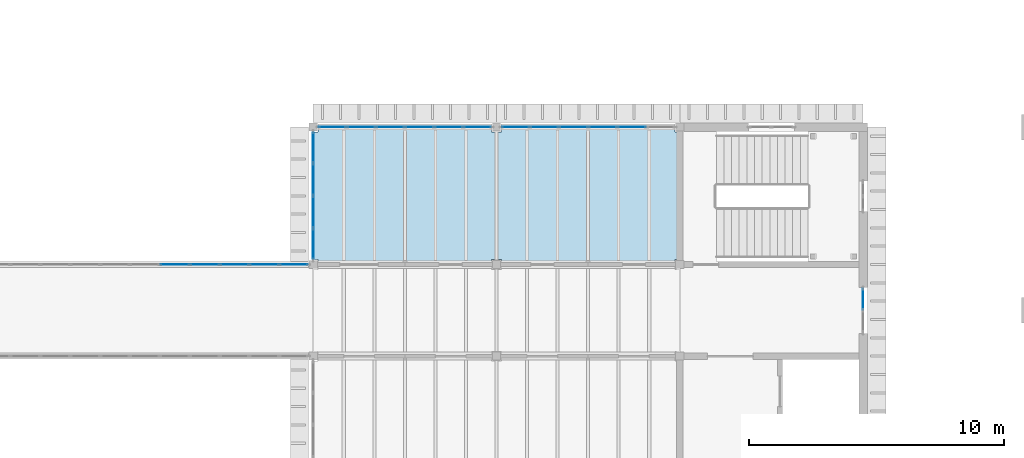
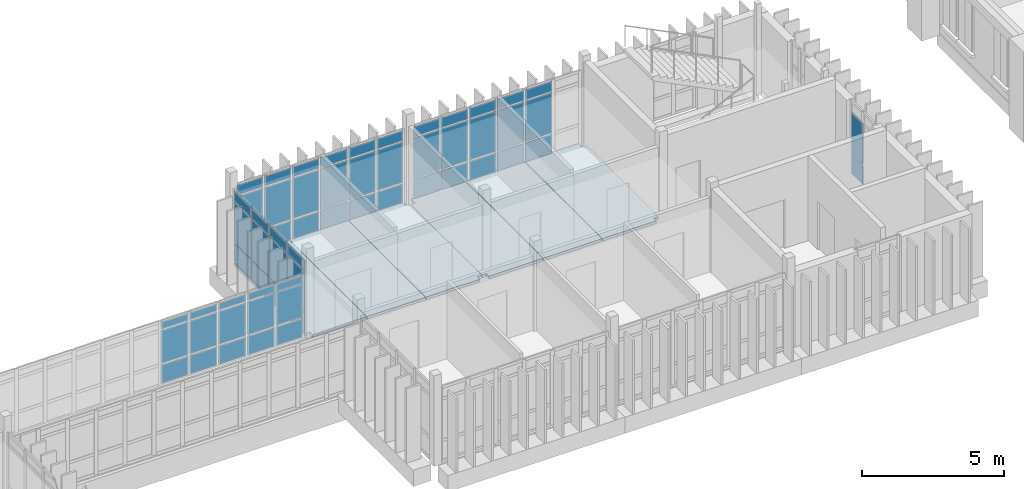
# One storey, part 35 of 71: 62 plates, 6 slabs, 5 elements without a shape of their own.
"""IFC4 building model written with IfcOpenShell, lengths in metres."""

from ifc_helpers import new_model, si_unit, direction, frame, origin, origin_2d, place, context, subcontext, project, spatial, polyline, rectangle, outline, extrude, material, layer, layer_set, type_object, element, aggregate, save


model = new_model("IFC4")

# Units and contexts
model_context = context("Model", 3, precision=1e-05, world=origin(), true_north=direction((0.0, 1.0)))
body_context = subcontext(model_context, "Body", "Model", "MODEL_VIEW")
ifc_project = project(units=[si_unit("LENGTHUNIT", "METRE"), si_unit("AREAUNIT", "SQUARE_METRE"), si_unit("VOLUMEUNIT", "CUBIC_METRE"), si_unit("PLANEANGLEUNIT", "RADIAN"), si_unit("MASSUNIT", "GRAM", prefix="KILO")], contexts=[model_context])

# Site, building, storey
site_placement = place(None, origin())
site = spatial("IfcSite", under=ifc_project, at=site_placement, CompositionType="ELEMENT")
building_placement = place(site_placement, origin())
building = spatial("IfcBuilding", under=site, at=building_placement, Name="Mazhai Court Health Centre", CompositionType="ELEMENT")
storey_placement = place(building_placement, frame((0.0, 0.0, 10.199951171875)))
storey = spatial("IfcBuildingStorey", under=building, at=storey_placement, Name="L02", CompositionType="ELEMENT", Elevation=10.199951171875)

# Slabs
ifc_material_1 = material(Name="CLT C24 5-ply", Category="wood")
ifc_layer_1 = layer(ifc_material_1, 0.1201171875)
ifc_layer_set_1 = layer_set([ifc_layer_1], Name="CLT C24 5-ply 120 floor panel")
slab_type = type_object("IfcSlabType", Name="CLT C24 5-ply 120 floor panel", PredefinedType="FLOOR", material=ifc_layer_set_1)
slab_1_placement = place(storey_placement, frame((0.0, 0.0, -0.119873046875)))
element("IfcSlab", 1, at=slab_1_placement, inside=storey, type_object=slab_type, Name="slab-V4-L02-b5-B0", PredefinedType="FLOOR", context=body_context, shape_type="SweptSolid", body=[
    extrude(outline(polyline([(109.389892578125, 27.919921875), (107.18994140625, 27.919921875), (107.18994140625, 27.610107421875), (107.0, 27.610107421875), (107.0, 22.590087890625), (107.18994140625, 22.590087890625), (107.18994140625, 22.409912109375), (109.389892578125, 22.409912109375), (109.389892578125, 27.919921875)])), origin(), (0.0, 0.0, 1.0), 0.119873046875),
])
slab_2_placement = place(storey_placement, frame((0.0, 0.0, -0.119873046875)))
element("IfcSlab", 2, at=slab_2_placement, inside=storey, type_object=slab_type, Name="slab-V4-L02-b5-B1", PredefinedType="FLOOR", context=body_context, shape_type="SweptSolid", body=[
    extrude(outline(polyline([(109.409912109375, 22.409912109375), (111.7900390625, 22.409912109375), (111.7900390625, 27.919921875), (109.409912109375, 27.919921875), (109.409912109375, 22.409912109375)])), origin(), (0.0, 0.0, 1.0), 0.119873046875),
])
slab_3_placement = place(storey_placement, frame((0.0, 0.0, -0.119873046875)))
element("IfcSlab", 3, at=slab_3_placement, inside=storey, type_object=slab_type, Name="slab-V4-L02-b5-B2", PredefinedType="FLOOR", context=body_context, shape_type="SweptSolid", body=[
    extrude(outline(polyline([(114.199951171875, 22.590087890625), (114.199951171875, 27.610107421875), (114.010009765625, 27.610107421875), (114.010009765625, 27.919921875), (111.81005859375, 27.919921875), (111.81005859375, 22.409912109375), (114.010009765625, 22.409912109375), (114.010009765625, 22.590087890625), (114.199951171875, 22.590087890625)])), origin(), (0.0, 0.0, 1.0), 0.119873046875),
])
slab_4_placement = place(storey_placement, frame((0.0, 0.0, -0.119873046875)))
element("IfcSlab", 4, at=slab_4_placement, inside=storey, type_object=slab_type, Name="slab-V4-L02-b6-B0", PredefinedType="FLOOR", context=body_context, shape_type="SweptSolid", body=[
    extrude(outline(polyline([(116.590087890625, 27.919921875), (114.389892578125, 27.919921875), (114.389892578125, 27.610107421875), (114.199951171875, 27.610107421875), (114.199951171875, 22.590087890625), (114.389892578125, 22.590087890625), (114.389892578125, 22.409912109375), (116.590087890625, 22.409912109375), (116.590087890625, 27.919921875)])), origin(), (0.0, 0.0, 1.0), 0.119873046875),
])
slab_5_placement = place(storey_placement, frame((0.0, 0.0, -0.119873046875)))
element("IfcSlab", 5, at=slab_5_placement, inside=storey, type_object=slab_type, Name="slab-V4-L02-b6-B1", PredefinedType="FLOOR", context=body_context, shape_type="SweptSolid", body=[
    extrude(outline(polyline([(116.610107421875, 22.409912109375), (118.989990234375, 22.409912109375), (118.989990234375, 27.919921875), (116.610107421875, 27.919921875), (116.610107421875, 22.409912109375)])), origin(), (0.0, 0.0, 1.0), 0.119873046875),
])
slab_6_placement = place(storey_placement, frame((0.0, 0.0, -0.119873046875)))
element("IfcSlab", 6, at=slab_6_placement, inside=storey, type_object=slab_type, Name="slab-V4-L02-b6-B2", PredefinedType="FLOOR", context=body_context, shape_type="SweptSolid", body=[
    extrude(outline(polyline([(121.39990234375, 22.590087890625), (121.39990234375, 27.610107421875), (121.2099609375, 27.610107421875), (121.2099609375, 27.919921875), (119.010009765625, 27.919921875), (119.010009765625, 22.409912109375), (121.2099609375, 22.409912109375), (121.2099609375, 22.590087890625), (121.39990234375, 22.590087890625)])), origin(), (0.0, 0.0, 1.0), 0.119873046875),
])

# Curtain wall, plates
ifc_material_2 = material(Name="Teak timber frame, glazed", Category="wood")
ifc_layer_2 = layer(ifc_material_2, 0.10009765625)
ifc_layer_set_2 = layer_set([ifc_layer_2], Name="CURTAIN WALL TIMBER 900")
curtain_wall_type_1 = type_object("IfcCurtainWallType", Name="CURTAIN WALL TIMBER 900", PredefinedType="NOTDEFINED", material=ifc_layer_set_2)
curtain_wall_1_placement = place(storey_placement, origin())
curtain_wall_1 = element("IfcCurtainWall", 7, at=curtain_wall_1_placement, inside=storey, type_object=curtain_wall_type_1, Name="CW-V4-L02-ELIFT0", PredefinedType="NOTDEFINED")
ifc_material_3 = material(Name="Glass IGU 28 mm", Category="glass")
ifc_layer_3 = layer(ifc_material_3, 0.028076171875)
ifc_layer_set_3 = layer_set([ifc_layer_3], Name="CW PANEL IGU 28")
plate_type = type_object("IfcPlateType", Name="CW PANEL IGU 28", PredefinedType="CURTAIN_PANEL", material=ifc_layer_set_3)
plate_1_placement = place(storey_placement, frame((128.60009765625, 21.034912109375, 0.06005859375), z_axis=(0.0, 0.0, 1.0), x_axis=(0.0, -1.0, 0.0)))
plate_1 = element("IfcPlate", 8, at=plate_1_placement, type_object=plate_type, Name="CW panel 1.1", PredefinedType="CURTAIN_PANEL", context=body_context, shape_type="SweptSolid", body=[
    extrude(rectangle(XDim=0.81005859375, YDim=0.028076171875, at=origin_2d()), origin(), (0.0, 0.0, 1.0), 0.81005859375),
])
plate_2_placement = place(storey_placement, frame((128.60009765625, 21.034912109375, 0.93017578125), z_axis=(0.0, 0.0, 1.0), x_axis=(0.0, -1.0, 0.0)))
plate_2 = element("IfcPlate", 9, at=plate_2_placement, type_object=plate_type, Name="CW panel 1.2", PredefinedType="CURTAIN_PANEL", context=body_context, shape_type="SweptSolid", body=[
    extrude(rectangle(XDim=0.81005859375, YDim=0.028076171875, at=origin_2d()), origin(), (0.0, 0.0, 1.0), 1.739990234375),
])
aggregate(curtain_wall_1, [plate_1, plate_2])

ifc_material_4 = material(Name="Teak timber frame, glazed", Category="wood")
ifc_layer_4 = layer(ifc_material_4, 0.10009765625)
ifc_layer_set_4 = layer_set([ifc_layer_4], Name="CURTAIN WALL TIMBER 1200")
curtain_wall_type_2 = type_object("IfcCurtainWallType", Name="CURTAIN WALL TIMBER 1200", PredefinedType="NOTDEFINED", material=ifc_layer_set_4)
curtain_wall_2_placement = place(storey_placement, origin())
curtain_wall_2 = element("IfcCurtainWall", 10, at=curtain_wall_2_placement, inside=storey, type_object=curtain_wall_type_2, Name="CW-V4-L02-B5", PredefinedType="NOTDEFINED")
plate_3_placement = place(storey_placement, frame((107.748291015625, 27.800048828125, 0.06005859375), z_axis=(0.0, 0.0, 1.0), x_axis=(1.0, 0.0, 0.0)))
plate_3 = element("IfcPlate", 11, at=plate_3_placement, type_object=plate_type, Name="CW panel 1.1", PredefinedType="CURTAIN_PANEL", context=body_context, shape_type="SweptSolid", body=[
    extrude(rectangle(XDim=1.056640625, YDim=0.028076171875, at=origin_2d()), origin(), (0.0, 0.0, 1.0), 0.81005859375),
])
plate_4_placement = place(storey_placement, frame((107.748291015625, 27.800048828125, 0.93017578125), z_axis=(0.0, 0.0, 1.0), x_axis=(1.0, 0.0, 0.0)))
plate_4 = element("IfcPlate", 12, at=plate_4_placement, type_object=plate_type, Name="CW panel 1.2", PredefinedType="CURTAIN_PANEL", context=body_context, shape_type="SweptSolid", body=[
    extrude(rectangle(XDim=1.056640625, YDim=0.028076171875, at=origin_2d()), origin(), (0.0, 0.0, 1.0), 1.739990234375),
])
plate_5_placement = place(storey_placement, frame((107.748291015625, 27.800048828125, 2.72998046875), z_axis=(0.0, 0.0, 1.0), x_axis=(1.0, 0.0, 0.0)))
plate_5 = element("IfcPlate", 13, at=plate_5_placement, type_object=plate_type, Name="CW panel 1.3", PredefinedType="CURTAIN_PANEL", context=body_context, shape_type="SweptSolid", body=[
    extrude(rectangle(XDim=1.056640625, YDim=0.028076171875, at=origin_2d()), origin(), (0.0, 0.0, 1.0), 0.429931640625),
])
plate_6_placement = place(storey_placement, frame((108.8798828125, 27.800048828125, 0.06005859375), z_axis=(0.0, 0.0, 1.0), x_axis=(1.0, 0.0, 0.0)))
plate_6 = element("IfcPlate", 14, at=plate_6_placement, type_object=plate_type, Name="CW panel 2.1", PredefinedType="CURTAIN_PANEL", context=body_context, shape_type="SweptSolid", body=[
    extrude(rectangle(XDim=1.086669921875, YDim=0.028076171875, at=origin_2d()), origin(), (0.0, 0.0, 1.0), 0.81005859375),
])
plate_7_placement = place(storey_placement, frame((108.8798828125, 27.800048828125, 0.93017578125), z_axis=(0.0, 0.0, 1.0), x_axis=(1.0, 0.0, 0.0)))
plate_7 = element("IfcPlate", 15, at=plate_7_placement, type_object=plate_type, Name="CW panel 2.2", PredefinedType="CURTAIN_PANEL", context=body_context, shape_type="SweptSolid", body=[
    extrude(rectangle(XDim=1.086669921875, YDim=0.028076171875, at=origin_2d()), origin(), (0.0, 0.0, 1.0), 1.739990234375),
])
plate_8_placement = place(storey_placement, frame((108.8798828125, 27.800048828125, 2.72998046875), z_axis=(0.0, 0.0, 1.0), x_axis=(1.0, 0.0, 0.0)))
plate_8 = element("IfcPlate", 16, at=plate_8_placement, type_object=plate_type, Name="CW panel 2.3", PredefinedType="CURTAIN_PANEL", context=body_context, shape_type="SweptSolid", body=[
    extrude(rectangle(XDim=1.086669921875, YDim=0.028076171875, at=origin_2d()), origin(), (0.0, 0.0, 1.0), 0.429931640625),
])
plate_9_placement = place(storey_placement, frame((110.026611328125, 27.800048828125, 0.06005859375), z_axis=(0.0, 0.0, 1.0), x_axis=(1.0, 0.0, 0.0)))
plate_9 = element("IfcPlate", 17, at=plate_9_placement, type_object=plate_type, Name="CW panel 3.1", PredefinedType="CURTAIN_PANEL", context=body_context, shape_type="SweptSolid", body=[
    extrude(rectangle(XDim=1.086669921875, YDim=0.028076171875, at=origin_2d()), origin(), (0.0, 0.0, 1.0), 0.81005859375),
])
plate_10_placement = place(storey_placement, frame((110.026611328125, 27.800048828125, 0.93017578125), z_axis=(0.0, 0.0, 1.0), x_axis=(1.0, 0.0, 0.0)))
plate_10 = element("IfcPlate", 18, at=plate_10_placement, type_object=plate_type, Name="CW panel 3.2", PredefinedType="CURTAIN_PANEL", context=body_context, shape_type="SweptSolid", body=[
    extrude(rectangle(XDim=1.086669921875, YDim=0.028076171875, at=origin_2d()), origin(), (0.0, 0.0, 1.0), 1.739990234375),
])
plate_11_placement = place(storey_placement, frame((110.026611328125, 27.800048828125, 2.72998046875), z_axis=(0.0, 0.0, 1.0), x_axis=(1.0, 0.0, 0.0)))
plate_11 = element("IfcPlate", 19, at=plate_11_placement, type_object=plate_type, Name="CW panel 3.3", PredefinedType="CURTAIN_PANEL", context=body_context, shape_type="SweptSolid", body=[
    extrude(rectangle(XDim=1.086669921875, YDim=0.028076171875, at=origin_2d()), origin(), (0.0, 0.0, 1.0), 0.429931640625),
])
plate_12_placement = place(storey_placement, frame((111.17333984375, 27.800048828125, 0.06005859375), z_axis=(0.0, 0.0, 1.0), x_axis=(1.0, 0.0, 0.0)))
plate_12 = element("IfcPlate", 20, at=plate_12_placement, type_object=plate_type, Name="CW panel 4.1", PredefinedType="CURTAIN_PANEL", context=body_context, shape_type="SweptSolid", body=[
    extrude(rectangle(XDim=1.086669921875, YDim=0.028076171875, at=origin_2d()), origin(), (0.0, 0.0, 1.0), 0.81005859375),
])
plate_13_placement = place(storey_placement, frame((111.17333984375, 27.800048828125, 0.93017578125), z_axis=(0.0, 0.0, 1.0), x_axis=(1.0, 0.0, 0.0)))
plate_13 = element("IfcPlate", 21, at=plate_13_placement, type_object=plate_type, Name="CW panel 4.2", PredefinedType="CURTAIN_PANEL", context=body_context, shape_type="SweptSolid", body=[
    extrude(rectangle(XDim=1.086669921875, YDim=0.028076171875, at=origin_2d()), origin(), (0.0, 0.0, 1.0), 1.739990234375),
])
plate_14_placement = place(storey_placement, frame((111.17333984375, 27.800048828125, 2.72998046875), z_axis=(0.0, 0.0, 1.0), x_axis=(1.0, 0.0, 0.0)))
plate_14 = element("IfcPlate", 22, at=plate_14_placement, type_object=plate_type, Name="CW panel 4.3", PredefinedType="CURTAIN_PANEL", context=body_context, shape_type="SweptSolid", body=[
    extrude(rectangle(XDim=1.086669921875, YDim=0.028076171875, at=origin_2d()), origin(), (0.0, 0.0, 1.0), 0.429931640625),
])
plate_15_placement = place(storey_placement, frame((112.320068359375, 27.800048828125, 0.06005859375), z_axis=(0.0, 0.0, 1.0), x_axis=(1.0, 0.0, 0.0)))
plate_15 = element("IfcPlate", 23, at=plate_15_placement, type_object=plate_type, Name="CW panel 5.1", PredefinedType="CURTAIN_PANEL", context=body_context, shape_type="SweptSolid", body=[
    extrude(rectangle(XDim=1.086669921875, YDim=0.028076171875, at=origin_2d()), origin(), (0.0, 0.0, 1.0), 0.81005859375),
])
plate_16_placement = place(storey_placement, frame((112.320068359375, 27.800048828125, 0.93017578125), z_axis=(0.0, 0.0, 1.0), x_axis=(1.0, 0.0, 0.0)))
plate_16 = element("IfcPlate", 24, at=plate_16_placement, type_object=plate_type, Name="CW panel 5.2", PredefinedType="CURTAIN_PANEL", context=body_context, shape_type="SweptSolid", body=[
    extrude(rectangle(XDim=1.086669921875, YDim=0.028076171875, at=origin_2d()), origin(), (0.0, 0.0, 1.0), 1.739990234375),
])
plate_17_placement = place(storey_placement, frame((112.320068359375, 27.800048828125, 2.72998046875), z_axis=(0.0, 0.0, 1.0), x_axis=(1.0, 0.0, 0.0)))
plate_17 = element("IfcPlate", 25, at=plate_17_placement, type_object=plate_type, Name="CW panel 5.3", PredefinedType="CURTAIN_PANEL", context=body_context, shape_type="SweptSolid", body=[
    extrude(rectangle(XDim=1.086669921875, YDim=0.028076171875, at=origin_2d()), origin(), (0.0, 0.0, 1.0), 0.429931640625),
])
plate_18_placement = place(storey_placement, frame((113.45166015625, 27.800048828125, 0.06005859375), z_axis=(0.0, 0.0, 1.0), x_axis=(1.0, 0.0, 0.0)))
plate_18 = element("IfcPlate", 26, at=plate_18_placement, type_object=plate_type, Name="CW panel 6.1", PredefinedType="CURTAIN_PANEL", context=body_context, shape_type="SweptSolid", body=[
    extrude(rectangle(XDim=1.056640625, YDim=0.028076171875, at=origin_2d()), origin(), (0.0, 0.0, 1.0), 0.81005859375),
])
plate_19_placement = place(storey_placement, frame((113.45166015625, 27.800048828125, 0.93017578125), z_axis=(0.0, 0.0, 1.0), x_axis=(1.0, 0.0, 0.0)))
plate_19 = element("IfcPlate", 27, at=plate_19_placement, type_object=plate_type, Name="CW panel 6.2", PredefinedType="CURTAIN_PANEL", context=body_context, shape_type="SweptSolid", body=[
    extrude(rectangle(XDim=1.056640625, YDim=0.028076171875, at=origin_2d()), origin(), (0.0, 0.0, 1.0), 1.739990234375),
])
plate_20_placement = place(storey_placement, frame((113.45166015625, 27.800048828125, 2.72998046875), z_axis=(0.0, 0.0, 1.0), x_axis=(1.0, 0.0, 0.0)))
plate_20 = element("IfcPlate", 28, at=plate_20_placement, type_object=plate_type, Name="CW panel 6.3", PredefinedType="CURTAIN_PANEL", context=body_context, shape_type="SweptSolid", body=[
    extrude(rectangle(XDim=1.056640625, YDim=0.028076171875, at=origin_2d()), origin(), (0.0, 0.0, 1.0), 0.429931640625),
])
aggregate(curtain_wall_2, [plate_3, plate_4, plate_5, plate_6, plate_7, plate_8, plate_9, plate_10, plate_11, plate_12, plate_13, plate_14, plate_15, plate_16, plate_17, plate_18, plate_19, plate_20])

curtain_wall_3_placement = place(storey_placement, origin())
curtain_wall_3 = element("IfcCurtainWall", 29, at=curtain_wall_3_placement, inside=storey, type_object=curtain_wall_type_2, Name="CW-V4-L02-B6", PredefinedType="NOTDEFINED")
plate_21_placement = place(storey_placement, frame((114.9482421875, 27.800048828125, 0.06005859375), z_axis=(0.0, 0.0, 1.0), x_axis=(1.0, 0.0, 0.0)))
plate_21 = element("IfcPlate", 30, at=plate_21_placement, type_object=plate_type, Name="CW panel 1.1", PredefinedType="CURTAIN_PANEL", context=body_context, shape_type="SweptSolid", body=[
    extrude(rectangle(XDim=1.056640625, YDim=0.028076171875, at=origin_2d()), origin(), (0.0, 0.0, 1.0), 0.81005859375),
])
plate_22_placement = place(storey_placement, frame((114.9482421875, 27.800048828125, 0.93017578125), z_axis=(0.0, 0.0, 1.0), x_axis=(1.0, 0.0, 0.0)))
plate_22 = element("IfcPlate", 31, at=plate_22_placement, type_object=plate_type, Name="CW panel 1.2", PredefinedType="CURTAIN_PANEL", context=body_context, shape_type="SweptSolid", body=[
    extrude(rectangle(XDim=1.056640625, YDim=0.028076171875, at=origin_2d()), origin(), (0.0, 0.0, 1.0), 1.739990234375),
])
plate_23_placement = place(storey_placement, frame((114.9482421875, 27.800048828125, 2.72998046875), z_axis=(0.0, 0.0, 1.0), x_axis=(1.0, 0.0, 0.0)))
plate_23 = element("IfcPlate", 32, at=plate_23_placement, type_object=plate_type, Name="CW panel 1.3", PredefinedType="CURTAIN_PANEL", context=body_context, shape_type="SweptSolid", body=[
    extrude(rectangle(XDim=1.056640625, YDim=0.028076171875, at=origin_2d()), origin(), (0.0, 0.0, 1.0), 0.429931640625),
])
plate_24_placement = place(storey_placement, frame((116.080078125, 27.800048828125, 0.06005859375), z_axis=(0.0, 0.0, 1.0), x_axis=(1.0, 0.0, 0.0)))
plate_24 = element("IfcPlate", 33, at=plate_24_placement, type_object=plate_type, Name="CW panel 2.1", PredefinedType="CURTAIN_PANEL", context=body_context, shape_type="SweptSolid", body=[
    extrude(rectangle(XDim=1.086669921875, YDim=0.028076171875, at=origin_2d()), origin(), (0.0, 0.0, 1.0), 0.81005859375),
])
plate_25_placement = place(storey_placement, frame((116.080078125, 27.800048828125, 0.93017578125), z_axis=(0.0, 0.0, 1.0), x_axis=(1.0, 0.0, 0.0)))
plate_25 = element("IfcPlate", 34, at=plate_25_placement, type_object=plate_type, Name="CW panel 2.2", PredefinedType="CURTAIN_PANEL", context=body_context, shape_type="SweptSolid", body=[
    extrude(rectangle(XDim=1.086669921875, YDim=0.028076171875, at=origin_2d()), origin(), (0.0, 0.0, 1.0), 1.739990234375),
])
plate_26_placement = place(storey_placement, frame((116.080078125, 27.800048828125, 2.72998046875), z_axis=(0.0, 0.0, 1.0), x_axis=(1.0, 0.0, 0.0)))
plate_26 = element("IfcPlate", 35, at=plate_26_placement, type_object=plate_type, Name="CW panel 2.3", PredefinedType="CURTAIN_PANEL", context=body_context, shape_type="SweptSolid", body=[
    extrude(rectangle(XDim=1.086669921875, YDim=0.028076171875, at=origin_2d()), origin(), (0.0, 0.0, 1.0), 0.429931640625),
])
plate_27_placement = place(storey_placement, frame((117.2265625, 27.800048828125, 0.06005859375), z_axis=(0.0, 0.0, 1.0), x_axis=(1.0, 0.0, 0.0)))
plate_27 = element("IfcPlate", 36, at=plate_27_placement, type_object=plate_type, Name="CW panel 3.1", PredefinedType="CURTAIN_PANEL", context=body_context, shape_type="SweptSolid", body=[
    extrude(rectangle(XDim=1.086669921875, YDim=0.028076171875, at=origin_2d()), origin(), (0.0, 0.0, 1.0), 0.81005859375),
])
plate_28_placement = place(storey_placement, frame((117.2265625, 27.800048828125, 0.93017578125), z_axis=(0.0, 0.0, 1.0), x_axis=(1.0, 0.0, 0.0)))
plate_28 = element("IfcPlate", 37, at=plate_28_placement, type_object=plate_type, Name="CW panel 3.2", PredefinedType="CURTAIN_PANEL", context=body_context, shape_type="SweptSolid", body=[
    extrude(rectangle(XDim=1.086669921875, YDim=0.028076171875, at=origin_2d()), origin(), (0.0, 0.0, 1.0), 1.739990234375),
])
plate_29_placement = place(storey_placement, frame((117.2265625, 27.800048828125, 2.72998046875), z_axis=(0.0, 0.0, 1.0), x_axis=(1.0, 0.0, 0.0)))
plate_29 = element("IfcPlate", 38, at=plate_29_placement, type_object=plate_type, Name="CW panel 3.3", PredefinedType="CURTAIN_PANEL", context=body_context, shape_type="SweptSolid", body=[
    extrude(rectangle(XDim=1.086669921875, YDim=0.028076171875, at=origin_2d()), origin(), (0.0, 0.0, 1.0), 0.429931640625),
])
plate_30_placement = place(storey_placement, frame((118.373291015625, 27.800048828125, 0.06005859375), z_axis=(0.0, 0.0, 1.0), x_axis=(1.0, 0.0, 0.0)))
plate_30 = element("IfcPlate", 39, at=plate_30_placement, type_object=plate_type, Name="CW panel 4.1", PredefinedType="CURTAIN_PANEL", context=body_context, shape_type="SweptSolid", body=[
    extrude(rectangle(XDim=1.086669921875, YDim=0.028076171875, at=origin_2d()), origin(), (0.0, 0.0, 1.0), 0.81005859375),
])
plate_31_placement = place(storey_placement, frame((118.373291015625, 27.800048828125, 0.93017578125), z_axis=(0.0, 0.0, 1.0), x_axis=(1.0, 0.0, 0.0)))
plate_31 = element("IfcPlate", 40, at=plate_31_placement, type_object=plate_type, Name="CW panel 4.2", PredefinedType="CURTAIN_PANEL", context=body_context, shape_type="SweptSolid", body=[
    extrude(rectangle(XDim=1.086669921875, YDim=0.028076171875, at=origin_2d()), origin(), (0.0, 0.0, 1.0), 1.739990234375),
])
plate_32_placement = place(storey_placement, frame((118.373291015625, 27.800048828125, 2.72998046875), z_axis=(0.0, 0.0, 1.0), x_axis=(1.0, 0.0, 0.0)))
plate_32 = element("IfcPlate", 41, at=plate_32_placement, type_object=plate_type, Name="CW panel 4.3", PredefinedType="CURTAIN_PANEL", context=body_context, shape_type="SweptSolid", body=[
    extrude(rectangle(XDim=1.086669921875, YDim=0.028076171875, at=origin_2d()), origin(), (0.0, 0.0, 1.0), 0.429931640625),
])
plate_33_placement = place(storey_placement, frame((119.52001953125, 27.800048828125, 0.06005859375), z_axis=(0.0, 0.0, 1.0), x_axis=(1.0, 0.0, 0.0)))
plate_33 = element("IfcPlate", 42, at=plate_33_placement, type_object=plate_type, Name="CW panel 5.1", PredefinedType="CURTAIN_PANEL", context=body_context, shape_type="SweptSolid", body=[
    extrude(rectangle(XDim=1.086669921875, YDim=0.028076171875, at=origin_2d()), origin(), (0.0, 0.0, 1.0), 0.81005859375),
])
plate_34_placement = place(storey_placement, frame((119.52001953125, 27.800048828125, 0.93017578125), z_axis=(0.0, 0.0, 1.0), x_axis=(1.0, 0.0, 0.0)))
plate_34 = element("IfcPlate", 43, at=plate_34_placement, type_object=plate_type, Name="CW panel 5.2", PredefinedType="CURTAIN_PANEL", context=body_context, shape_type="SweptSolid", body=[
    extrude(rectangle(XDim=1.086669921875, YDim=0.028076171875, at=origin_2d()), origin(), (0.0, 0.0, 1.0), 1.739990234375),
])
plate_35_placement = place(storey_placement, frame((119.52001953125, 27.800048828125, 2.72998046875), z_axis=(0.0, 0.0, 1.0), x_axis=(1.0, 0.0, 0.0)))
plate_35 = element("IfcPlate", 44, at=plate_35_placement, type_object=plate_type, Name="CW panel 5.3", PredefinedType="CURTAIN_PANEL", context=body_context, shape_type="SweptSolid", body=[
    extrude(rectangle(XDim=1.086669921875, YDim=0.028076171875, at=origin_2d()), origin(), (0.0, 0.0, 1.0), 0.429931640625),
])
aggregate(curtain_wall_3, [plate_21, plate_22, plate_23, plate_24, plate_25, plate_26, plate_27, plate_28, plate_29, plate_30, plate_31, plate_32, plate_33, plate_34, plate_35])

curtain_wall_4_placement = place(storey_placement, origin())
curtain_wall_4 = element("IfcCurtainWall", 45, at=curtain_wall_4_placement, inside=storey, type_object=curtain_wall_type_2, Name="CW-V4-L02-CW5-1", PredefinedType="NOTDEFINED")
plate_36_placement = place(storey_placement, frame((107.0, 23.2099609375, 0.06005859375), z_axis=(0.0, 0.0, 1.0), x_axis=(0.0, 1.0, 0.0)))
plate_36 = element("IfcPlate", 46, at=plate_36_placement, type_object=plate_type, Name="CW panel 1.1", PredefinedType="CURTAIN_PANEL", context=body_context, shape_type="SweptSolid", body=[
    extrude(rectangle(XDim=1.179931640625, YDim=0.028076171875, at=origin_2d()), origin(), (0.0, 0.0, 1.0), 0.81005859375),
])
plate_37_placement = place(storey_placement, frame((107.0, 23.2099609375, 0.93017578125), z_axis=(0.0, 0.0, 1.0), x_axis=(0.0, 1.0, 0.0)))
plate_37 = element("IfcPlate", 47, at=plate_37_placement, type_object=plate_type, Name="CW panel 1.2", PredefinedType="CURTAIN_PANEL", context=body_context, shape_type="SweptSolid", body=[
    extrude(rectangle(XDim=1.179931640625, YDim=0.028076171875, at=origin_2d()), origin(), (0.0, 0.0, 1.0), 1.739990234375),
])
plate_38_placement = place(storey_placement, frame((107.0, 23.2099609375, 2.72998046875), z_axis=(0.0, 0.0, 1.0), x_axis=(0.0, 1.0, 0.0)))
plate_38 = element("IfcPlate", 48, at=plate_38_placement, type_object=plate_type, Name="CW panel 1.3", PredefinedType="CURTAIN_PANEL", context=body_context, shape_type="SweptSolid", body=[
    extrude(rectangle(XDim=1.179931640625, YDim=0.028076171875, at=origin_2d()), origin(), (0.0, 0.0, 1.0), 0.409912109375),
])
plate_39_placement = place(storey_placement, frame((107.0, 24.465087890625, 0.06005859375), z_axis=(0.0, 0.0, 1.0), x_axis=(0.0, 1.0, 0.0)))
plate_39 = element("IfcPlate", 49, at=plate_39_placement, type_object=plate_type, Name="CW panel 2.1", PredefinedType="CURTAIN_PANEL", context=body_context, shape_type="SweptSolid", body=[
    extrude(rectangle(XDim=1.2099609375, YDim=0.028076171875, at=origin_2d()), origin(), (0.0, 0.0, 1.0), 0.81005859375),
])
plate_40_placement = place(storey_placement, frame((107.0, 24.465087890625, 0.93017578125), z_axis=(0.0, 0.0, 1.0), x_axis=(0.0, 1.0, 0.0)))
plate_40 = element("IfcPlate", 50, at=plate_40_placement, type_object=plate_type, Name="CW panel 2.2", PredefinedType="CURTAIN_PANEL", context=body_context, shape_type="SweptSolid", body=[
    extrude(rectangle(XDim=1.2099609375, YDim=0.028076171875, at=origin_2d()), origin(), (0.0, 0.0, 1.0), 1.739990234375),
])
plate_41_placement = place(storey_placement, frame((107.0, 24.465087890625, 2.72998046875), z_axis=(0.0, 0.0, 1.0), x_axis=(0.0, 1.0, 0.0)))
plate_41 = element("IfcPlate", 51, at=plate_41_placement, type_object=plate_type, Name="CW panel 2.3", PredefinedType="CURTAIN_PANEL", context=body_context, shape_type="SweptSolid", body=[
    extrude(rectangle(XDim=1.2099609375, YDim=0.028076171875, at=origin_2d()), origin(), (0.0, 0.0, 1.0), 0.409912109375),
])
plate_42_placement = place(storey_placement, frame((107.0, 25.735107421875, 0.06005859375), z_axis=(0.0, 0.0, 1.0), x_axis=(0.0, 1.0, 0.0)))
plate_42 = element("IfcPlate", 52, at=plate_42_placement, type_object=plate_type, Name="CW panel 3.1", PredefinedType="CURTAIN_PANEL", context=body_context, shape_type="SweptSolid", body=[
    extrude(rectangle(XDim=1.2099609375, YDim=0.028076171875, at=origin_2d()), origin(), (0.0, 0.0, 1.0), 0.81005859375),
])
plate_43_placement = place(storey_placement, frame((107.0, 25.735107421875, 0.93017578125), z_axis=(0.0, 0.0, 1.0), x_axis=(0.0, 1.0, 0.0)))
plate_43 = element("IfcPlate", 53, at=plate_43_placement, type_object=plate_type, Name="CW panel 3.2", PredefinedType="CURTAIN_PANEL", context=body_context, shape_type="SweptSolid", body=[
    extrude(rectangle(XDim=1.2099609375, YDim=0.028076171875, at=origin_2d()), origin(), (0.0, 0.0, 1.0), 1.739990234375),
])
plate_44_placement = place(storey_placement, frame((107.0, 25.735107421875, 2.72998046875), z_axis=(0.0, 0.0, 1.0), x_axis=(0.0, 1.0, 0.0)))
plate_44 = element("IfcPlate", 54, at=plate_44_placement, type_object=plate_type, Name="CW panel 3.3", PredefinedType="CURTAIN_PANEL", context=body_context, shape_type="SweptSolid", body=[
    extrude(rectangle(XDim=1.2099609375, YDim=0.028076171875, at=origin_2d()), origin(), (0.0, 0.0, 1.0), 0.409912109375),
])
plate_45_placement = place(storey_placement, frame((107.0, 26.989990234375, 0.06005859375), z_axis=(0.0, 0.0, 1.0), x_axis=(0.0, 1.0, 0.0)))
plate_45 = element("IfcPlate", 55, at=plate_45_placement, type_object=plate_type, Name="CW panel 4.1", PredefinedType="CURTAIN_PANEL", context=body_context, shape_type="SweptSolid", body=[
    extrude(rectangle(XDim=1.179931640625, YDim=0.028076171875, at=origin_2d()), origin(), (0.0, 0.0, 1.0), 0.81005859375),
])
plate_46_placement = place(storey_placement, frame((107.0, 26.989990234375, 0.93017578125), z_axis=(0.0, 0.0, 1.0), x_axis=(0.0, 1.0, 0.0)))
plate_46 = element("IfcPlate", 56, at=plate_46_placement, type_object=plate_type, Name="CW panel 4.2", PredefinedType="CURTAIN_PANEL", context=body_context, shape_type="SweptSolid", body=[
    extrude(rectangle(XDim=1.179931640625, YDim=0.028076171875, at=origin_2d()), origin(), (0.0, 0.0, 1.0), 1.739990234375),
])
plate_47_placement = place(storey_placement, frame((107.0, 26.989990234375, 2.72998046875), z_axis=(0.0, 0.0, 1.0), x_axis=(0.0, 1.0, 0.0)))
plate_47 = element("IfcPlate", 57, at=plate_47_placement, type_object=plate_type, Name="CW panel 4.3", PredefinedType="CURTAIN_PANEL", context=body_context, shape_type="SweptSolid", body=[
    extrude(rectangle(XDim=1.179931640625, YDim=0.028076171875, at=origin_2d()), origin(), (0.0, 0.0, 1.0), 0.409912109375),
])
aggregate(curtain_wall_4, [plate_36, plate_37, plate_38, plate_39, plate_40, plate_41, plate_42, plate_43, plate_44, plate_45, plate_46, plate_47])

curtain_wall_5_placement = place(storey_placement, origin())
curtain_wall_5 = element("IfcCurtainWall", 58, at=curtain_wall_5_placement, inside=storey, type_object=curtain_wall_type_2, Name="CW-BR-LC2-N", PredefinedType="NOTDEFINED")
plate_48_placement = place(storey_placement, frame((101.56005859375, 22.39990234375, 0.06005859375), z_axis=(0.0, 0.0, 1.0), x_axis=(1.0, 0.0, 0.0)))
plate_48 = element("IfcPlate", 59, at=plate_48_placement, type_object=plate_type, Name="CW panel 8.1", PredefinedType="CURTAIN_PANEL", context=body_context, shape_type="SweptSolid", body=[
    extrude(rectangle(XDim=1.11328125, YDim=0.028076171875, at=origin_2d()), origin(), (0.0, 0.0, 1.0), 0.81005859375),
])
plate_49_placement = place(storey_placement, frame((101.56005859375, 22.39990234375, 0.93017578125), z_axis=(0.0, 0.0, 1.0), x_axis=(1.0, 0.0, 0.0)))
plate_49 = element("IfcPlate", 60, at=plate_49_placement, type_object=plate_type, Name="CW panel 8.2", PredefinedType="CURTAIN_PANEL", context=body_context, shape_type="SweptSolid", body=[
    extrude(rectangle(XDim=1.11328125, YDim=0.028076171875, at=origin_2d()), origin(), (0.0, 0.0, 1.0), 1.419921875),
])
plate_50_placement = place(storey_placement, frame((101.56005859375, 22.39990234375, 2.409912109375), z_axis=(0.0, 0.0, 1.0), x_axis=(1.0, 0.0, 0.0)))
plate_50 = element("IfcPlate", 61, at=plate_50_placement, type_object=plate_type, Name="CW panel 8.3", PredefinedType="CURTAIN_PANEL", context=body_context, shape_type="SweptSolid", body=[
    extrude(rectangle(XDim=1.11328125, YDim=0.028076171875, at=origin_2d()), origin(), (0.0, 0.0, 1.0), 0.31005859375),
])
plate_51_placement = place(storey_placement, frame((102.7333984375, 22.39990234375, 0.06005859375), z_axis=(0.0, 0.0, 1.0), x_axis=(1.0, 0.0, 0.0)))
plate_51 = element("IfcPlate", 62, at=plate_51_placement, type_object=plate_type, Name="CW panel 9.1", PredefinedType="CURTAIN_PANEL", context=body_context, shape_type="SweptSolid", body=[
    extrude(rectangle(XDim=1.11328125, YDim=0.028076171875, at=origin_2d()), origin(), (0.0, 0.0, 1.0), 0.81005859375),
])
plate_52_placement = place(storey_placement, frame((102.7333984375, 22.39990234375, 0.93017578125), z_axis=(0.0, 0.0, 1.0), x_axis=(1.0, 0.0, 0.0)))
plate_52 = element("IfcPlate", 63, at=plate_52_placement, type_object=plate_type, Name="CW panel 9.2", PredefinedType="CURTAIN_PANEL", context=body_context, shape_type="SweptSolid", body=[
    extrude(rectangle(XDim=1.11328125, YDim=0.028076171875, at=origin_2d()), origin(), (0.0, 0.0, 1.0), 1.419921875),
])
plate_53_placement = place(storey_placement, frame((102.7333984375, 22.39990234375, 2.409912109375), z_axis=(0.0, 0.0, 1.0), x_axis=(1.0, 0.0, 0.0)))
plate_53 = element("IfcPlate", 64, at=plate_53_placement, type_object=plate_type, Name="CW panel 9.3", PredefinedType="CURTAIN_PANEL", context=body_context, shape_type="SweptSolid", body=[
    extrude(rectangle(XDim=1.11328125, YDim=0.028076171875, at=origin_2d()), origin(), (0.0, 0.0, 1.0), 0.31005859375),
])
plate_54_placement = place(storey_placement, frame((103.90673828125, 22.39990234375, 0.06005859375), z_axis=(0.0, 0.0, 1.0), x_axis=(1.0, 0.0, 0.0)))
plate_54 = element("IfcPlate", 65, at=plate_54_placement, type_object=plate_type, Name="CW panel 10.1", PredefinedType="CURTAIN_PANEL", context=body_context, shape_type="SweptSolid", body=[
    extrude(rectangle(XDim=1.11328125, YDim=0.028076171875, at=origin_2d()), origin(), (0.0, 0.0, 1.0), 0.81005859375),
])
plate_55_placement = place(storey_placement, frame((103.90673828125, 22.39990234375, 0.93017578125), z_axis=(0.0, 0.0, 1.0), x_axis=(1.0, 0.0, 0.0)))
plate_55 = element("IfcPlate", 66, at=plate_55_placement, type_object=plate_type, Name="CW panel 10.2", PredefinedType="CURTAIN_PANEL", context=body_context, shape_type="SweptSolid", body=[
    extrude(rectangle(XDim=1.11328125, YDim=0.028076171875, at=origin_2d()), origin(), (0.0, 0.0, 1.0), 1.419921875),
])
plate_56_placement = place(storey_placement, frame((103.90673828125, 22.39990234375, 2.409912109375), z_axis=(0.0, 0.0, 1.0), x_axis=(1.0, 0.0, 0.0)))
plate_56 = element("IfcPlate", 67, at=plate_56_placement, type_object=plate_type, Name="CW panel 10.3", PredefinedType="CURTAIN_PANEL", context=body_context, shape_type="SweptSolid", body=[
    extrude(rectangle(XDim=1.11328125, YDim=0.028076171875, at=origin_2d()), origin(), (0.0, 0.0, 1.0), 0.31005859375),
])
plate_57_placement = place(storey_placement, frame((105.080078125, 22.39990234375, 0.06005859375), z_axis=(0.0, 0.0, 1.0), x_axis=(1.0, 0.0, 0.0)))
plate_57 = element("IfcPlate", 68, at=plate_57_placement, type_object=plate_type, Name="CW panel 11.1", PredefinedType="CURTAIN_PANEL", context=body_context, shape_type="SweptSolid", body=[
    extrude(rectangle(XDim=1.11328125, YDim=0.028076171875, at=origin_2d()), origin(), (0.0, 0.0, 1.0), 0.81005859375),
])
plate_58_placement = place(storey_placement, frame((105.080078125, 22.39990234375, 0.93017578125), z_axis=(0.0, 0.0, 1.0), x_axis=(1.0, 0.0, 0.0)))
plate_58 = element("IfcPlate", 69, at=plate_58_placement, type_object=plate_type, Name="CW panel 11.2", PredefinedType="CURTAIN_PANEL", context=body_context, shape_type="SweptSolid", body=[
    extrude(rectangle(XDim=1.11328125, YDim=0.028076171875, at=origin_2d()), origin(), (0.0, 0.0, 1.0), 1.419921875),
])
plate_59_placement = place(storey_placement, frame((105.080078125, 22.39990234375, 2.409912109375), z_axis=(0.0, 0.0, 1.0), x_axis=(1.0, 0.0, 0.0)))
plate_59 = element("IfcPlate", 70, at=plate_59_placement, type_object=plate_type, Name="CW panel 11.3", PredefinedType="CURTAIN_PANEL", context=body_context, shape_type="SweptSolid", body=[
    extrude(rectangle(XDim=1.11328125, YDim=0.028076171875, at=origin_2d()), origin(), (0.0, 0.0, 1.0), 0.31005859375),
])
plate_60_placement = place(storey_placement, frame((106.23828125, 22.39990234375, 0.06005859375), z_axis=(0.0, 0.0, 1.0), x_axis=(1.0, 0.0, 0.0)))
plate_60 = element("IfcPlate", 71, at=plate_60_placement, type_object=plate_type, Name="CW panel 12.1", PredefinedType="CURTAIN_PANEL", context=body_context, shape_type="SweptSolid", body=[
    extrude(rectangle(XDim=1.083251953125, YDim=0.028076171875, at=origin_2d()), origin(), (0.0, 0.0, 1.0), 0.81005859375),
])
plate_61_placement = place(storey_placement, frame((106.23828125, 22.39990234375, 0.93017578125), z_axis=(0.0, 0.0, 1.0), x_axis=(1.0, 0.0, 0.0)))
plate_61 = element("IfcPlate", 72, at=plate_61_placement, type_object=plate_type, Name="CW panel 12.2", PredefinedType="CURTAIN_PANEL", context=body_context, shape_type="SweptSolid", body=[
    extrude(rectangle(XDim=1.083251953125, YDim=0.028076171875, at=origin_2d()), origin(), (0.0, 0.0, 1.0), 1.419921875),
])
plate_62_placement = place(storey_placement, frame((106.23828125, 22.39990234375, 2.409912109375), z_axis=(0.0, 0.0, 1.0), x_axis=(1.0, 0.0, 0.0)))
plate_62 = element("IfcPlate", 73, at=plate_62_placement, type_object=plate_type, Name="CW panel 12.3", PredefinedType="CURTAIN_PANEL", context=body_context, shape_type="SweptSolid", body=[
    extrude(rectangle(XDim=1.083251953125, YDim=0.028076171875, at=origin_2d()), origin(), (0.0, 0.0, 1.0), 0.31005859375),
])
aggregate(curtain_wall_5, [plate_48, plate_49, plate_50, plate_51, plate_52, plate_53, plate_54, plate_55, plate_56, plate_57, plate_58, plate_59, plate_60, plate_61, plate_62])

save(model, "model.ifc")
